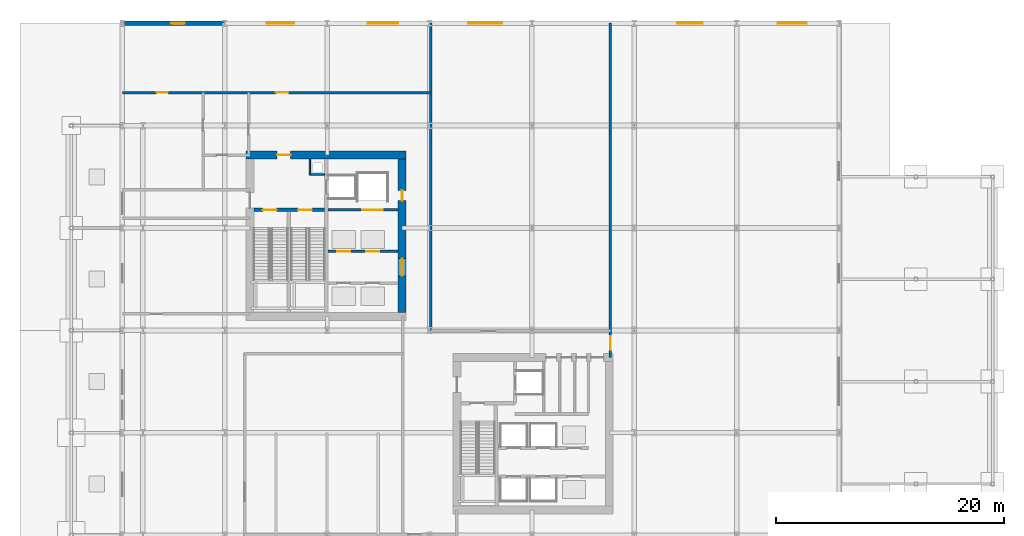
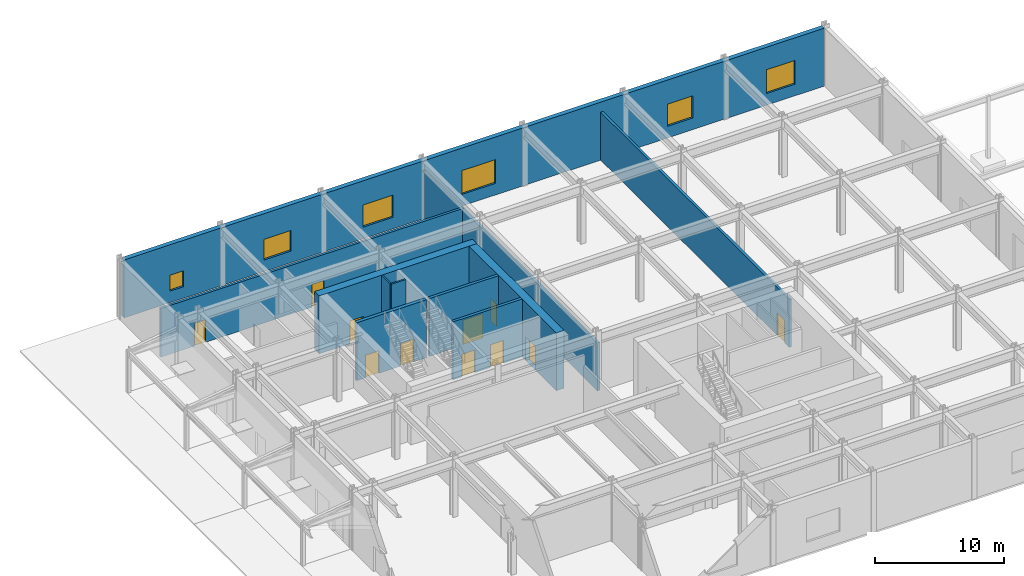
# One storey, part 12 of 19: 11 doors, 11 walls, 6 windows, 17 openings.
"""IFC4 building model written with IfcOpenShell, lengths in metres."""

from ifc_helpers import new_model, si_unit, direction, frame, frame_2d, origin, place, context, subcontext, project, spatial, rectangle, extrude, material, layer, layer_set, type_object, element, fill, save


model = new_model("IFC4")

# Units and contexts
model_context = context("Model", 3, precision=1e-05, world=origin(), true_north=direction((0.0, 1.0)))
body_context = subcontext(model_context, "Body", "Model", "MODEL_VIEW")
ifc_project = project(units=[si_unit("LENGTHUNIT", "METRE"), si_unit("AREAUNIT", "SQUARE_METRE"), si_unit("VOLUMEUNIT", "CUBIC_METRE"), si_unit("PLANEANGLEUNIT", "RADIAN"), si_unit("MASSUNIT", "GRAM", prefix="KILO")], contexts=[model_context])

# Site, building, storey
site_placement = place(None, origin())
site = spatial("IfcSite", under=ifc_project, at=site_placement, CompositionType="ELEMENT")
building_placement = place(site_placement, origin())
building = spatial("IfcBuilding", under=site, at=building_placement, Name="Solvaryn Broadcast Tower", CompositionType="ELEMENT")
storey_placement = place(building_placement, origin())
storey = spatial("IfcBuildingStorey", under=building, at=storey_placement, Name="L00", CompositionType="ELEMENT", Elevation=0.0)

# Wall, opening, door
ifc_material_1 = material(Name="Concrete f'c 70 MPa", Category="concrete")
ifc_layer_1 = layer(ifc_material_1, 0.699951171875)
ifc_layer_set_1 = layer_set([ifc_layer_1], Name="CW-SHEAR-700")
wall_type_1 = type_object("IfcWallType", Name="CW-SHEAR-700", PredefinedType="SHEAR", material=ifc_layer_set_1)
wall_1_placement = place(storey_placement, frame((24.949951171875, 42.39990234375, 0.0), z_axis=(0.0, 0.0, 1.0), x_axis=(-1.0, 0.0, 0.0)))
wall_1 = element("IfcWall", 1, at=wall_1_placement, inside=storey, type_object=wall_type_1, Name="L00 West Core North Shear Wall", PredefinedType="SHEAR", context=body_context, shape_type="SweptSolid", body=[
    extrude(rectangle(XDim=14.099853515625, YDim=0.699951171875, at=frame_2d((7.0498046875, 0.0))), origin(), (0.0, 0.0, 1.0), 5.47998046875),
])
opening_1_placement = place(wall_1_placement, frame((10.14990234375, 0.0, 0.0)))
opening_1 = element("IfcOpeningElement", 2, at=opening_1_placement, cuts=wall_1, Name="Opening FD90A", PredefinedType="OPENING", context=body_context, shape_type="SweptSolid", body=[
    extrude(rectangle(XDim=1.199951171875, YDim=2.14990234375, at=frame_2d((0.60009765625, 1.074951171875))), frame((0.0, 0.360107421875, 0.0), z_axis=(0.0, -1.0, 0.0), x_axis=(1.0, 0.0, 0.0)), (0.0, 0.0, 1.0), 0.719970703125),
])
ifc_material_2 = material(Name="Flush Acoustic Steel and Timber Door Assembly", Category="steel")
door_type_1 = type_object("IfcDoorType", Name="FD90-STAIR-1200X2150", OperationType="NOTDEFINED", PredefinedType="DOOR", material=ifc_material_2)
door_1_placement = place(opening_1_placement, origin())
door_1 = element("IfcDoor", 3, at=door_1_placement, inside=storey, type_object=door_type_1, Name="L00 West FSAE Lobby Corridor Door", OperationType="SINGLE_SWING_LEFT", OverallHeight=2.14990234375, OverallWidth=1.199951171875, PredefinedType="DOOR", context=body_context, shape_type="SweptSolid", body=[
    extrude(rectangle(XDim=1.199951171875, YDim=2.14990234375, at=frame_2d((0.60009765625, 1.074951171875))), frame((0.0, 0.02490234375, 0.0), z_axis=(0.0, -1.0, 0.0), x_axis=(1.0, 0.0, 0.0)), (0.0, 0.0, 1.0), 0.050048828125),
])
fill(opening_1, door_1)

# Wall, openings, doors
wall_2_placement = place(storey_placement, frame((24.60009765625, 28.550048828125, 0.0), z_axis=(0.0, 0.0, 1.0), x_axis=(0.0, 1.0, 0.0)))
wall_2 = element("IfcWall", 4, at=wall_2_placement, inside=storey, type_object=wall_type_1, Name="L00 West Core East Shear Wall", PredefinedType="SHEAR", context=body_context, shape_type="SweptSolid", body=[
    extrude(rectangle(XDim=13.5, YDim=0.699951171875, at=frame_2d((6.75, 0.0))), origin(), (0.0, 0.0, 1.0), 5.47998046875),
])
opening_2_placement = place(wall_2_placement, frame((3.25, 0.0, 0.0)))
opening_2 = element("IfcOpeningElement", 5, at=opening_2_placement, cuts=wall_2, Name="Opening FD60A", PredefinedType="OPENING", context=body_context, shape_type="SweptSolid", body=[
    extrude(rectangle(XDim=1.5, YDim=2.199951171875, at=frame_2d((0.75, 1.10009765625))), frame((0.0, 0.360107421875, 0.0), z_axis=(0.0, -1.0, 0.0), x_axis=(1.0, 0.0, 0.0)), (0.0, 0.0, 1.0), 0.719970703125),
])
opening_3_placement = place(wall_2_placement, frame((9.85009765625, 0.0, 0.0)))
opening_3 = element("IfcOpeningElement", 6, at=opening_3_placement, cuts=wall_2, Name="Opening FD60C", PredefinedType="OPENING", context=body_context, shape_type="SweptSolid", body=[
    extrude(rectangle(XDim=0.89990234375, YDim=2.10009765625, at=frame_2d((0.449951171875, 1.050048828125))), frame((0.0, 0.360107421875, 0.0), z_axis=(0.0, -1.0, 0.0), x_axis=(1.0, 0.0, 0.0)), (0.0, 0.0, 1.0), 0.719970703125),
])
ifc_material_3 = material(Name="Flush Acoustic Steel and Timber Door Assembly", Category="steel")
door_type_2 = type_object("IfcDoorType", Name="FD60-CORR-1500X2200", OperationType="NOTDEFINED", PredefinedType="DOOR", material=ifc_material_3)
door_2_placement = place(opening_2_placement, origin())
door_2 = element("IfcDoor", 7, at=door_2_placement, inside=storey, type_object=door_type_2, Name="L00 West Elevator Lobby Corridor Door", OperationType="DOUBLE_DOOR_SINGLE_SWING", OverallHeight=2.199951171875, OverallWidth=1.5, PredefinedType="DOOR", context=body_context, shape_type="SweptSolid", body=[
    extrude(rectangle(XDim=1.5, YDim=2.199951171875, at=frame_2d((0.75, 1.10009765625))), frame((0.0, 0.02490234375, 0.0), z_axis=(0.0, -1.0, 0.0), x_axis=(1.0, 0.0, 0.0)), (0.0, 0.0, 1.0), 0.050048828125),
])
fill(opening_2, door_2)
ifc_material_4 = material(Name="Flush Acoustic Steel and Timber Door Assembly", Category="steel")
door_type_3 = type_object("IfcDoorType", Name="FD60-SERV-900X2100", OperationType="NOTDEFINED", PredefinedType="DOOR", material=ifc_material_4)
door_3_placement = place(opening_3_placement, origin())
door_3 = element("IfcDoor", 8, at=door_3_placement, inside=storey, type_object=door_type_3, Name="L00 West Core Service Door 1", OperationType="SINGLE_SWING_LEFT", OverallHeight=2.10009765625, OverallWidth=0.89990234375, PredefinedType="DOOR", context=body_context, shape_type="SweptSolid", body=[
    extrude(rectangle(XDim=0.89990234375, YDim=2.10009765625, at=frame_2d((0.449951171875, 1.050048828125))), frame((0.0, 0.02490234375, 0.0), z_axis=(0.0, -1.0, 0.0), x_axis=(1.0, 0.0, 0.0)), (0.0, 0.0, 1.0), 0.050048828125),
])
fill(opening_3, door_3)

# Wall, openings, windows
ifc_material_5 = material(Name="Concrete f'c 50 MPa", Category="concrete")
ifc_layer_2 = layer(ifc_material_5, 0.39990234375)
ifc_layer_set_2 = layer_set([ifc_layer_2], Name="EW-POD-400")
wall_type_2 = type_object("IfcWallType", Name="EW-POD-400", PredefinedType="SOLIDWALL", material=ifc_layer_set_2)
wall_3_placement = place(storey_placement, frame((0.199951171875, 54.0, 0.0), z_axis=(0.0, 0.0, 1.0), x_axis=(1.0, 0.0, 0.0)))
wall_3 = element("IfcWall", 9, at=wall_3_placement, inside=storey, type_object=wall_type_2, Name="L00 North Facade Wall", PredefinedType="SOLIDWALL", context=body_context, shape_type="SweptSolid", body=[
    extrude(rectangle(XDim=62.60009765625, YDim=0.39990234375, at=frame_2d((31.300048828125, 0.0))), origin(), (0.0, 0.0, 1.0), 5.47998046875),
])
opening_4_placement = place(wall_3_placement, frame((4.10009765625, 0.0, 1.10009765625)))
opening_4 = element("IfcOpeningElement", 10, at=opening_4_placement, cuts=wall_3, Name="Opening WN01", PredefinedType="OPENING", context=body_context, shape_type="SweptSolid", body=[
    extrude(rectangle(XDim=1.199951171875, YDim=1.5, at=frame_2d((0.60009765625, 0.75))), frame((0.0, 0.2099609375, 0.0), z_axis=(0.0, -1.0, 0.0), x_axis=(1.0, 0.0, 0.0)), (0.0, 0.0, 1.0), 0.419921875),
])
opening_5_placement = place(wall_3_placement, frame((12.5, 0.0, 1.10009765625)))
opening_5 = element("IfcOpeningElement", 11, at=opening_5_placement, cuts=wall_3, Name="Opening WN05", PredefinedType="OPENING", context=body_context, shape_type="SweptSolid", body=[
    extrude(rectangle(XDim=2.39990234375, YDim=1.949951171875, at=frame_2d((1.199951171875, 0.97509765625))), frame((0.0, 0.2099609375, 0.0), z_axis=(0.0, -1.0, 0.0), x_axis=(1.0, 0.0, 0.0)), (0.0, 0.0, 1.0), 0.419921875),
])
opening_6_placement = place(wall_3_placement, frame((21.35009765625, 0.0, 1.10009765625)))
opening_6 = element("IfcOpeningElement", 12, at=opening_6_placement, cuts=wall_3, Name="Opening WN06", PredefinedType="OPENING", context=body_context, shape_type="SweptSolid", body=[
    extrude(rectangle(XDim=2.699951171875, YDim=2.10009765625, at=frame_2d((1.35009765625, 1.050048828125))), frame((0.0, 0.2099609375, 0.0), z_axis=(0.0, -1.0, 0.0), x_axis=(1.0, 0.0, 0.0)), (0.0, 0.0, 1.0), 0.419921875),
])
opening_7_placement = place(wall_3_placement, frame((30.199951171875, 0.0, 1.10009765625)))
opening_7 = element("IfcOpeningElement", 13, at=opening_7_placement, cuts=wall_3, Name="Opening WN07", PredefinedType="OPENING", context=body_context, shape_type="SweptSolid", body=[
    extrude(rectangle(XDim=3.0, YDim=2.25, at=frame_2d((1.5, 1.125))), frame((0.0, 0.2099609375, 0.0), z_axis=(0.0, -1.0, 0.0), x_axis=(1.0, 0.0, 0.0)), (0.0, 0.0, 1.0), 0.419921875),
])
opening_8_placement = place(wall_3_placement, frame((48.574951171875, 0.0, 1.10009765625)))
opening_8 = element("IfcOpeningElement", 14, at=opening_8_placement, cuts=wall_3, Name="Opening WN11", PredefinedType="OPENING", context=body_context, shape_type="SweptSolid", body=[
    extrude(rectangle(XDim=2.25, YDim=2.10009765625, at=frame_2d((1.125, 1.050048828125))), frame((0.0, 0.2099609375, 0.0), z_axis=(0.0, -1.0, 0.0), x_axis=(1.0, 0.0, 0.0)), (0.0, 0.0, 1.0), 0.419921875),
])
opening_9_placement = place(wall_3_placement, frame((57.425048828125, 0.0, 1.10009765625)))
opening_9 = element("IfcOpeningElement", 15, at=opening_9_placement, cuts=wall_3, Name="Opening WN12", PredefinedType="OPENING", context=body_context, shape_type="SweptSolid", body=[
    extrude(rectangle(XDim=2.550048828125, YDim=2.25, at=frame_2d((1.27490234375, 1.125))), frame((0.0, 0.2099609375, 0.0), z_axis=(0.0, -1.0, 0.0), x_axis=(1.0, 0.0, 0.0)), (0.0, 0.0, 1.0), 0.419921875),
])
ifc_material_6 = material(Name="Thermally Broken Aluminium Acoustic Glazing", Category="aluminium")
window_type_1 = type_object("IfcWindowType", Name="WN-01-1200X1500", PartitioningType="SINGLE_PANEL", PredefinedType="WINDOW", material=ifc_material_6)
window_1_placement = place(opening_4_placement, origin())
window_1 = element("IfcWindow", 16, at=window_1_placement, inside=storey, type_object=window_type_1, Name="L00 North Studio Window 1", OverallHeight=1.5, OverallWidth=1.199951171875, PartitioningType="SINGLE_PANEL", PredefinedType="WINDOW", context=body_context, shape_type="SweptSolid", body=[
    extrude(rectangle(XDim=1.199951171875, YDim=1.5, at=frame_2d((0.60009765625, 0.75))), frame((0.0, 0.030029296875, 0.0), z_axis=(0.0, -1.0, 0.0), x_axis=(1.0, 0.0, 0.0)), (0.0, 0.0, 1.0), 0.06005859375),
])
fill(opening_4, window_1)
ifc_material_7 = material(Name="Thermally Broken Aluminium Acoustic Glazing", Category="aluminium")
window_type_2 = type_object("IfcWindowType", Name="WN-05-2400X1950", PartitioningType="SINGLE_PANEL", PredefinedType="WINDOW", material=ifc_material_7)
window_2_placement = place(opening_5_placement, origin())
window_2 = element("IfcWindow", 17, at=window_2_placement, inside=storey, type_object=window_type_2, Name="L00 North Studio Window 2", OverallHeight=1.949951171875, OverallWidth=2.39990234375, PartitioningType="SINGLE_PANEL", PredefinedType="WINDOW", context=body_context, shape_type="SweptSolid", body=[
    extrude(rectangle(XDim=2.39990234375, YDim=1.949951171875, at=frame_2d((1.199951171875, 0.97509765625))), frame((0.0, 0.030029296875, 0.0), z_axis=(0.0, -1.0, 0.0), x_axis=(1.0, 0.0, 0.0)), (0.0, 0.0, 1.0), 0.06005859375),
])
fill(opening_5, window_2)
ifc_material_8 = material(Name="Thermally Broken Aluminium Acoustic Glazing", Category="aluminium")
window_type_3 = type_object("IfcWindowType", Name="WN-06-2700X2100", PartitioningType="SINGLE_PANEL", PredefinedType="WINDOW", material=ifc_material_8)
window_3_placement = place(opening_6_placement, origin())
window_3 = element("IfcWindow", 18, at=window_3_placement, inside=storey, type_object=window_type_3, Name="L00 North Studio Window 3", OverallHeight=2.10009765625, OverallWidth=2.699951171875, PartitioningType="SINGLE_PANEL", PredefinedType="WINDOW", context=body_context, shape_type="SweptSolid", body=[
    extrude(rectangle(XDim=2.699951171875, YDim=2.10009765625, at=frame_2d((1.35009765625, 1.050048828125))), frame((0.0, 0.030029296875, 0.0), z_axis=(0.0, -1.0, 0.0), x_axis=(1.0, 0.0, 0.0)), (0.0, 0.0, 1.0), 0.06005859375),
])
fill(opening_6, window_3)
ifc_material_9 = material(Name="Thermally Broken Aluminium Acoustic Glazing", Category="aluminium")
window_type_4 = type_object("IfcWindowType", Name="WN-07-3000X2250", PartitioningType="SINGLE_PANEL", PredefinedType="WINDOW", material=ifc_material_9)
window_4_placement = place(opening_7_placement, origin())
window_4 = element("IfcWindow", 19, at=window_4_placement, inside=storey, type_object=window_type_4, Name="L00 North Studio Window 4", OverallHeight=2.25, OverallWidth=3.0, PartitioningType="SINGLE_PANEL", PredefinedType="WINDOW", context=body_context, shape_type="SweptSolid", body=[
    extrude(rectangle(XDim=3.0, YDim=2.25, at=frame_2d((1.5, 1.125))), frame((0.0, 0.030029296875, 0.0), z_axis=(0.0, -1.0, 0.0), x_axis=(1.0, 0.0, 0.0)), (0.0, 0.0, 1.0), 0.06005859375),
])
fill(opening_7, window_4)
ifc_material_10 = material(Name="Thermally Broken Aluminium Acoustic Glazing", Category="aluminium")
window_type_5 = type_object("IfcWindowType", Name="WN-11-2250X2100", PartitioningType="SINGLE_PANEL", PredefinedType="WINDOW", material=ifc_material_10)
window_5_placement = place(opening_8_placement, origin())
window_5 = element("IfcWindow", 20, at=window_5_placement, inside=storey, type_object=window_type_5, Name="L00 North Studio Window 5", OverallHeight=2.10009765625, OverallWidth=2.25, PartitioningType="SINGLE_PANEL", PredefinedType="WINDOW", context=body_context, shape_type="SweptSolid", body=[
    extrude(rectangle(XDim=2.25, YDim=2.10009765625, at=frame_2d((1.125, 1.050048828125))), frame((0.0, 0.030029296875, 0.0), z_axis=(0.0, -1.0, 0.0), x_axis=(1.0, 0.0, 0.0)), (0.0, 0.0, 1.0), 0.06005859375),
])
fill(opening_8, window_5)
ifc_material_11 = material(Name="Thermally Broken Aluminium Acoustic Glazing", Category="aluminium")
window_type_6 = type_object("IfcWindowType", Name="WN-12-2550X2250", PartitioningType="SINGLE_PANEL", PredefinedType="WINDOW", material=ifc_material_11)
window_6_placement = place(opening_9_placement, origin())
window_6 = element("IfcWindow", 21, at=window_6_placement, inside=storey, type_object=window_type_6, Name="L00 North Studio Window 6", OverallHeight=2.25, OverallWidth=2.550048828125, PartitioningType="SINGLE_PANEL", PredefinedType="WINDOW", context=body_context, shape_type="SweptSolid", body=[
    extrude(rectangle(XDim=2.550048828125, YDim=2.25, at=frame_2d((1.27490234375, 1.125))), frame((0.0, 0.030029296875, 0.0), z_axis=(0.0, -1.0, 0.0), x_axis=(1.0, 0.0, 0.0)), (0.0, 0.0, 1.0), 0.06005859375),
])
fill(opening_9, window_6)

# Wall, openings, doors
ifc_material_12 = material(Name="Double-Stud Acoustic Studio Partition")
ifc_layer_3 = layer(ifc_material_12, 0.219970703125)
ifc_layer_set_3 = layer_set([ifc_layer_3], Name="IW-ACOUSTIC-220")
wall_type_3 = type_object("IfcWallType", Name="IW-ACOUSTIC-220", PredefinedType="PARTITIONING", material=ifc_layer_set_3)
wall_4_placement = place(storey_placement, frame((0.0, 47.89990234375, 0.0), z_axis=(0.0, 0.0, 1.0), x_axis=(1.0, 0.0, 0.0)))
wall_4 = element("IfcWall", 22, at=wall_4_placement, inside=storey, type_object=wall_type_3, Name="L00 Interior Partition IW-L00-NW5", PredefinedType="PARTITIONING", context=body_context, shape_type="SweptSolid", body=[
    extrude(rectangle(XDim=27.10009765625, YDim=0.219970703125, at=frame_2d((13.550048828125, 0.0))), origin(), (0.0, 0.0, 1.0), 4.60498046875),
])
opening_10_placement = place(wall_4_placement, frame((13.5, 0.0, 0.0)))
opening_10 = element("IfcOpeningElement", 23, at=opening_10_placement, cuts=wall_4, Name="Opening FD90C", PredefinedType="OPENING", context=body_context, shape_type="SweptSolid", body=[
    extrude(rectangle(XDim=1.10009765625, YDim=2.14990234375, at=frame_2d((0.550048828125, 1.074951171875))), frame((0.0, 0.119873046875, 0.0), z_axis=(0.0, -1.0, 0.0), x_axis=(1.0, 0.0, 0.0)), (0.0, 0.0, 1.0), 0.239990234375),
])
opening_11_placement = place(wall_4_placement, frame((3.0, 0.0, 0.0)))
opening_11 = element("IfcOpeningElement", 24, at=opening_11_placement, cuts=wall_4, Name="Opening FD90D", PredefinedType="OPENING", context=body_context, shape_type="SweptSolid", body=[
    extrude(rectangle(XDim=1.0, YDim=2.14990234375, at=frame_2d((0.5, 1.074951171875))), frame((0.0, 0.119873046875, 0.0), z_axis=(0.0, -1.0, 0.0), x_axis=(1.0, 0.0, 0.0)), (0.0, 0.0, 1.0), 0.239990234375),
])
ifc_material_13 = material(Name="Flush Acoustic Steel and Timber Door Assembly", Category="steel")
door_type_4 = type_object("IfcDoorType", Name="FD90-FCC-1000X2150", OperationType="NOTDEFINED", PredefinedType="DOOR", material=ifc_material_13)
door_4_placement = place(opening_11_placement, origin())
door_4 = element("IfcDoor", 25, at=door_4_placement, inside=storey, type_object=door_type_4, Name="L00 Door DR-L00-SE2", OperationType="SINGLE_SWING_RIGHT", OverallHeight=2.14990234375, OverallWidth=1.0, PredefinedType="DOOR", context=body_context, shape_type="SweptSolid", body=[
    extrude(rectangle(XDim=1.0, YDim=2.14990234375, at=frame_2d((0.5, 1.074951171875))), frame((0.0, 0.02490234375, 0.0), z_axis=(0.0, -1.0, 0.0), x_axis=(1.0, 0.0, 0.0)), (0.0, 0.0, 1.0), 0.050048828125),
])
fill(opening_11, door_4)
ifc_material_14 = material(Name="Flush Acoustic Steel and Timber Door Assembly", Category="steel")
door_type_5 = type_object("IfcDoorType", Name="FD90-PLANT-1100X2150", OperationType="NOTDEFINED", PredefinedType="DOOR", material=ifc_material_14)
door_5_placement = place(opening_10_placement, origin())
door_5 = element("IfcDoor", 26, at=door_5_placement, inside=storey, type_object=door_type_5, Name="L00 Door DR-L00-BIK", OperationType="SINGLE_SWING_LEFT", OverallHeight=2.14990234375, OverallWidth=1.10009765625, PredefinedType="DOOR", context=body_context, shape_type="SweptSolid", body=[
    extrude(rectangle(XDim=1.10009765625, YDim=2.14990234375, at=frame_2d((0.550048828125, 1.074951171875))), frame((0.0, 0.02490234375, 0.0), z_axis=(0.0, -1.0, 0.0), x_axis=(1.0, 0.0, 0.0)), (0.0, 0.0, 1.0), 0.050048828125),
])
fill(opening_10, door_5)

# Wall, opening, door
wall_5_placement = place(storey_placement, frame((42.89990234375, 24.60009765625, 0.0), z_axis=(0.0, 0.0, 1.0), x_axis=(0.0, 1.0, 0.0)))
wall_5 = element("IfcWall", 27, at=wall_5_placement, inside=storey, type_object=wall_type_3, Name="L00 Interior Partition IW-L00-W7", PredefinedType="PARTITIONING", context=body_context, shape_type="SweptSolid", body=[
    extrude(rectangle(XDim=29.39990234375, YDim=0.219970703125, at=frame_2d((14.699951171875, 0.0))), origin(), (0.0, 0.0, 1.0), 4.532958984375),
])
opening_12_placement = place(wall_5_placement, frame((0.699951171875, 0.0, 0.0)))
opening_12 = element("IfcOpeningElement", 28, at=opening_12_placement, cuts=wall_5, Name="Opening FD90A", PredefinedType="OPENING", context=body_context, shape_type="SweptSolid", body=[
    extrude(rectangle(XDim=1.199951171875, YDim=2.14990234375, at=frame_2d((0.60009765625, 1.074951171875))), frame((0.0, 0.119873046875, 0.0), z_axis=(0.0, -1.0, 0.0), x_axis=(1.0, 0.0, 0.0)), (0.0, 0.0, 1.0), 0.239990234375),
])
door_6_placement = place(opening_12_placement, origin())
door_6 = element("IfcDoor", 29, at=door_6_placement, inside=storey, type_object=door_type_1, Name="L00 Door DR-L00-OBL", OperationType="DOUBLE_DOOR_SINGLE_SWING", OverallHeight=2.14990234375, OverallWidth=1.199951171875, PredefinedType="DOOR", context=body_context, shape_type="SweptSolid", body=[
    extrude(rectangle(XDim=1.199951171875, YDim=2.14990234375, at=frame_2d((0.60009765625, 1.074951171875))), frame((0.0, 0.02490234375, 0.0), z_axis=(0.0, -1.0, 0.0), x_axis=(1.0, 0.0, 0.0)), (0.0, 0.0, 1.0), 0.050048828125),
])
fill(opening_12, door_6)

# Walls
wall_6_placement = place(storey_placement, frame((27.10009765625, 26.949951171875, 0.0), z_axis=(0.0, 0.0, 1.0), x_axis=(0.0, 1.0, 0.0)))
element("IfcWall", 30, at=wall_6_placement, inside=storey, type_object=wall_type_3, Name="L00 Interior Partition IW-L00-W8", PredefinedType="PARTITIONING", context=body_context, shape_type="SweptSolid", body=[
    extrude(rectangle(XDim=27.050048828125, YDim=0.219970703125, at=frame_2d((13.52490234375, 0.0))), origin(), (0.0, 0.0, 1.0), 4.532958984375),
])
ifc_material_15 = material(Name="Metal-Stud Service Core Partition")
ifc_layer_4 = layer(ifc_material_15, 0.14990234375)
ifc_layer_set_4 = layer_set([ifc_layer_4], Name="IW-PART-150")
wall_type_4 = type_object("IfcWallType", Name="IW-PART-150", PredefinedType="PARTITIONING", material=ifc_layer_set_4)
wall_7_placement = place(storey_placement, frame((16.47998046875, 40.699951171875, 0.0), z_axis=(0.0, 0.0, 1.0), x_axis=(1.0, 0.0, 0.0)))
element("IfcWall", 31, at=wall_7_placement, inside=storey, type_object=wall_type_4, Name="L00 West Core Riser Shaft South Wall", PredefinedType="PARTITIONING", context=body_context, shape_type="SweptSolid", body=[
    extrude(rectangle(XDim=1.2900390625, YDim=0.14990234375, at=frame_2d((0.64501953125, 0.0))), origin(), (0.0, 0.0, 1.0), 5.47998046875),
])
wall_8_placement = place(storey_placement, frame((16.47998046875, 40.699951171875, 0.0), z_axis=(0.0, 0.0, 1.0), x_axis=(0.0, 1.0, 0.0)))
element("IfcWall", 32, at=wall_8_placement, inside=storey, type_object=wall_type_4, Name="L00 West Core Riser Shaft West Wall", PredefinedType="PARTITIONING", context=body_context, shape_type="SweptSolid", body=[
    extrude(rectangle(XDim=1.35009765625, YDim=0.14990234375, at=frame_2d((0.675048828125, 0.0))), origin(), (0.0, 0.0, 1.0), 5.47998046875),
])

# Wall, opening, door
ifc_material_16 = material(Name="Concrete f'c 60 MPa", Category="concrete")
ifc_layer_5 = layer(ifc_material_16, 0.25)
ifc_layer_set_5 = layer_set([ifc_layer_5], Name="SW-SHAFT-250")
wall_type_5 = type_object("IfcWallType", Name="SW-SHAFT-250", PredefinedType="PARTITIONING", material=ifc_layer_set_5)
wall_9_placement = place(storey_placement, frame((18.070068359375, 37.60009765625, 0.0), z_axis=(0.0, 0.0, 1.0), x_axis=(1.0, 0.0, 0.0)))
wall_9 = element("IfcWall", 33, at=wall_9_placement, inside=storey, type_object=wall_type_5, Name="L00 West Core FSAE Hoistway Front Wall", PredefinedType="PARTITIONING", context=body_context, shape_type="SweptSolid", body=[
    extrude(rectangle(XDim=6.179931640625, YDim=0.25, at=frame_2d((3.08984375, 0.0))), origin(), (0.0, 0.0, 1.0), 5.47998046875),
])
opening_13_placement = place(wall_9_placement, frame((3.030029296875, 0.0, 0.0)))
opening_13 = element("IfcOpeningElement", 34, at=opening_13_placement, cuts=wall_9, Name="Opening LD02", PredefinedType="OPENING", context=body_context, shape_type="SweptSolid", body=[
    extrude(rectangle(XDim=1.800048828125, YDim=2.300048828125, at=frame_2d((0.89990234375, 1.14990234375))), frame((0.0, 0.135009765625, 0.0), z_axis=(0.0, -1.0, 0.0), x_axis=(1.0, 0.0, 0.0)), (0.0, 0.0, 1.0), 0.27001953125),
])
ifc_material_17 = material(Name="Flush Acoustic Steel and Timber Door Assembly", Category="steel")
door_type_6 = type_object("IfcDoorType", Name="LD-FREIGHT-1800X2300", OperationType="NOTDEFINED", PredefinedType="DOOR", material=ifc_material_17)
door_7_placement = place(opening_13_placement, origin())
door_7 = element("IfcDoor", 35, at=door_7_placement, inside=storey, type_object=door_type_6, Name="L00 SV1 Freight Lift Landing Door", OperationType="DOUBLE_DOOR_SLIDING", OverallHeight=2.300048828125, OverallWidth=1.800048828125, PredefinedType="DOOR", context=body_context, shape_type="SweptSolid", body=[
    extrude(rectangle(XDim=1.800048828125, YDim=2.300048828125, at=frame_2d((0.89990234375, 1.14990234375))), frame((0.0, 0.02490234375, 0.0), z_axis=(0.0, -1.0, 0.0), x_axis=(1.0, 0.0, 0.0)), (0.0, 0.0, 1.0), 0.050048828125),
])
fill(opening_13, door_7)

# Wall, openings, doors
wall_10_placement = place(storey_placement, frame((24.25, 33.949951171875, 0.0), z_axis=(0.0, 0.0, 1.0), x_axis=(-1.0, 0.0, 0.0)))
wall_10 = element("IfcWall", 36, at=wall_10_placement, inside=storey, type_object=wall_type_5, Name="L00 High-Rise Lift Bank North Wall", PredefinedType="PARTITIONING", context=body_context, shape_type="SweptSolid", body=[
    extrude(rectangle(XDim=6.179931640625, YDim=0.25, at=frame_2d((3.08984375, 0.0))), origin(), (0.0, 0.0, 1.0), 5.47998046875),
])
opening_14_placement = place(wall_10_placement, frame((4.22509765625, 0.0, 0.0)))
opening_14 = element("IfcOpeningElement", 37, at=opening_14_placement, cuts=wall_10, Name="Opening LD01", PredefinedType="OPENING", context=body_context, shape_type="SweptSolid", body=[
    extrude(rectangle(XDim=1.14990234375, YDim=2.14990234375, at=frame_2d((0.574951171875, 1.074951171875))), frame((0.0, 0.135009765625, 0.0), z_axis=(0.0, -1.0, 0.0), x_axis=(1.0, 0.0, 0.0)), (0.0, 0.0, 1.0), 0.27001953125),
])
opening_15_placement = place(wall_10_placement, frame((1.675048828125, 0.0, 0.0)))
opening_15 = element("IfcOpeningElement", 38, at=opening_15_placement, cuts=wall_10, Name="Opening LD01", PredefinedType="OPENING", context=body_context, shape_type="SweptSolid", body=[
    extrude(rectangle(XDim=1.14990234375, YDim=2.14990234375, at=frame_2d((0.574951171875, 1.074951171875))), frame((0.0, 0.135009765625, 0.0), z_axis=(0.0, -1.0, 0.0), x_axis=(1.0, 0.0, 0.0)), (0.0, 0.0, 1.0), 0.27001953125),
])
ifc_material_18 = material(Name="Flush Acoustic Steel and Timber Door Assembly", Category="steel")
door_type_7 = type_object("IfcDoorType", Name="LD-LIFT-1150X2150", OperationType="NOTDEFINED", PredefinedType="DOOR", material=ifc_material_18)
door_8_placement = place(opening_14_placement, origin())
door_8 = element("IfcDoor", 39, at=door_8_placement, inside=storey, type_object=door_type_7, Name="L00 PH3 Lift Landing Door", OperationType="DOUBLE_DOOR_SLIDING", OverallHeight=2.14990234375, OverallWidth=1.14990234375, PredefinedType="DOOR", context=body_context, shape_type="SweptSolid", body=[
    extrude(rectangle(XDim=1.14990234375, YDim=2.14990234375, at=frame_2d((0.574951171875, 1.074951171875))), frame((0.0, 0.02490234375, 0.0), z_axis=(0.0, -1.0, 0.0), x_axis=(1.0, 0.0, 0.0)), (0.0, 0.0, 1.0), 0.050048828125),
])
fill(opening_14, door_8)
door_9_placement = place(opening_15_placement, origin())
door_9 = element("IfcDoor", 40, at=door_9_placement, inside=storey, type_object=door_type_7, Name="L00 PH4 Lift Landing Door", OperationType="DOUBLE_DOOR_SLIDING", OverallHeight=2.14990234375, OverallWidth=1.14990234375, PredefinedType="DOOR", context=body_context, shape_type="SweptSolid", body=[
    extrude(rectangle(XDim=1.14990234375, YDim=2.14990234375, at=frame_2d((0.574951171875, 1.074951171875))), frame((0.0, 0.02490234375, 0.0), z_axis=(0.0, -1.0, 0.0), x_axis=(1.0, 0.0, 0.0)), (0.0, 0.0, 1.0), 0.050048828125),
])
fill(opening_15, door_9)

ifc_material_19 = material(Name="Concrete f'c 70 MPa", Category="concrete")
ifc_layer_6 = layer(ifc_material_19, 0.300048828125)
ifc_layer_set_6 = layer_set([ifc_layer_6], Name="SW-SHAFT-300")
wall_type_6 = type_object("IfcWallType", Name="SW-SHAFT-300", PredefinedType="SHEAR", material=ifc_layer_set_6)
wall_11_placement = place(storey_placement, frame((17.77001953125, 37.60009765625, 0.0), z_axis=(0.0, 0.0, 1.0), x_axis=(-1.0, 0.0, 0.0)))
wall_11 = element("IfcWall", 41, at=wall_11_placement, inside=storey, type_object=wall_type_6, Name="L00 West Core FSAE Lobby South Wall", PredefinedType="SHEAR", context=body_context, shape_type="SweptSolid", body=[
    extrude(rectangle(XDim=6.219970703125, YDim=0.300048828125, at=frame_2d((3.10986328125, 0.0))), origin(), (0.0, 0.0, 1.0), 5.47998046875),
])
opening_16_placement = place(wall_11_placement, frame((4.219970703125, 0.0, 0.0)))
opening_16 = element("IfcOpeningElement", 42, at=opening_16_placement, cuts=wall_11, Name="Opening FD90A", PredefinedType="OPENING", context=body_context, shape_type="SweptSolid", body=[
    extrude(rectangle(XDim=1.199951171875, YDim=2.14990234375, at=frame_2d((0.60009765625, 1.074951171875))), frame((0.0, 0.159912109375, 0.0), z_axis=(0.0, -1.0, 0.0), x_axis=(1.0, 0.0, 0.0)), (0.0, 0.0, 1.0), 0.320068359375),
])
opening_17_placement = place(wall_11_placement, frame((1.1201171875, 0.0, 0.0)))
opening_17 = element("IfcOpeningElement", 43, at=opening_17_placement, cuts=wall_11, Name="Opening FD90A", PredefinedType="OPENING", context=body_context, shape_type="SweptSolid", body=[
    extrude(rectangle(XDim=1.199951171875, YDim=2.14990234375, at=frame_2d((0.60009765625, 1.074951171875))), frame((0.0, 0.159912109375, 0.0), z_axis=(0.0, -1.0, 0.0), x_axis=(1.0, 0.0, 0.0)), (0.0, 0.0, 1.0), 0.320068359375),
])
door_10_placement = place(opening_16_placement, origin())
door_10 = element("IfcDoor", 44, at=door_10_placement, inside=storey, type_object=door_type_1, Name="L00 Stair 1 Fire Door", OperationType="SINGLE_SWING_LEFT", OverallHeight=2.14990234375, OverallWidth=1.199951171875, PredefinedType="DOOR", context=body_context, shape_type="SweptSolid", body=[
    extrude(rectangle(XDim=1.199951171875, YDim=2.14990234375, at=frame_2d((0.60009765625, 1.074951171875))), frame((0.0, 0.02490234375, 0.0), z_axis=(0.0, -1.0, 0.0), x_axis=(1.0, 0.0, 0.0)), (0.0, 0.0, 1.0), 0.050048828125),
])
fill(opening_16, door_10)
door_11_placement = place(opening_17_placement, origin())
door_11 = element("IfcDoor", 45, at=door_11_placement, inside=storey, type_object=door_type_1, Name="L00 Stair 2 Fire Door", OperationType="SINGLE_SWING_RIGHT", OverallHeight=2.14990234375, OverallWidth=1.199951171875, PredefinedType="DOOR", context=body_context, shape_type="SweptSolid", body=[
    extrude(rectangle(XDim=1.199951171875, YDim=2.14990234375, at=frame_2d((0.60009765625, 1.074951171875))), frame((0.0, 0.02490234375, 0.0), z_axis=(0.0, -1.0, 0.0), x_axis=(1.0, 0.0, 0.0)), (0.0, 0.0, 1.0), 0.050048828125),
])
fill(opening_17, door_11)

save(model, "model.ifc")
